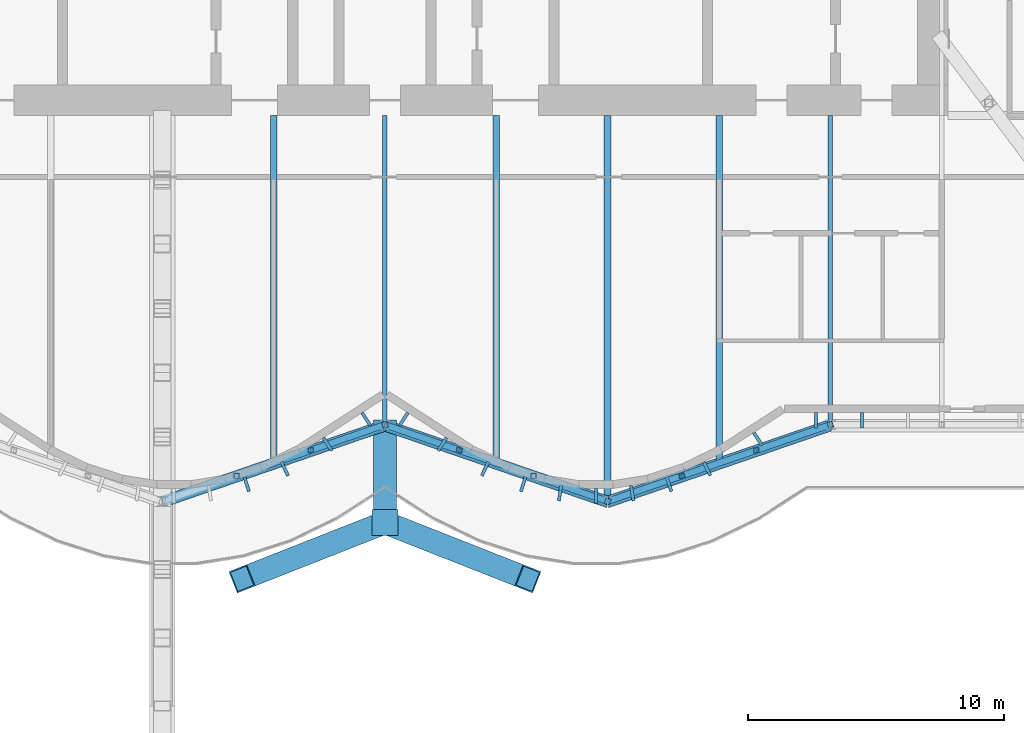
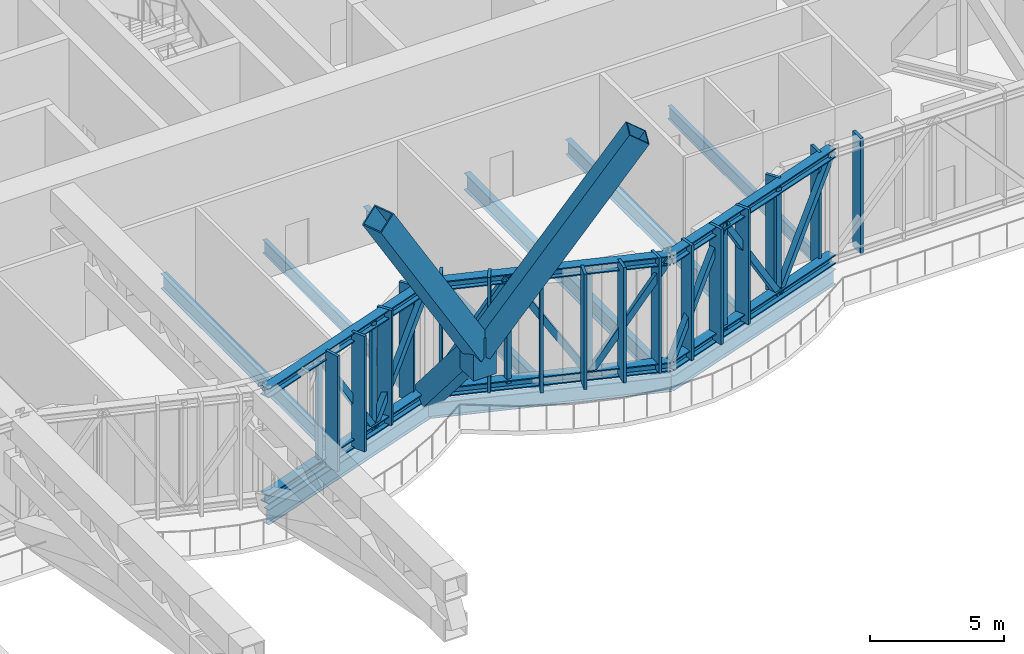
# One storey, part 10 of 30: 40 members, 9 beams, 1 element without a shape of its own.
"""IFC4 building model written with IfcOpenShell, lengths in metres."""

from ifc_helpers import new_model, si_unit, direction, frame, origin, origin_2d, place, context, subcontext, project, spatial, rectangle, hollow_rectangle, i_section, extrude, material, material_profile, profile_set, type_object, element, aggregate, save


model = new_model("IFC4")

# Units and contexts
model_context = context("Model", 3, precision=1e-05, world=origin(), true_north=direction((0.0, 1.0)))
body_context = subcontext(model_context, "Body", "Model", "MODEL_VIEW")
ifc_project = project(units=[si_unit("LENGTHUNIT", "METRE"), si_unit("AREAUNIT", "SQUARE_METRE"), si_unit("VOLUMEUNIT", "CUBIC_METRE"), si_unit("PLANEANGLEUNIT", "RADIAN"), si_unit("MASSUNIT", "GRAM", prefix="KILO")], contexts=[model_context])

# Site, building, storey
site_placement = place(None, origin())
site = spatial("IfcSite", under=ifc_project, at=site_placement, CompositionType="ELEMENT")
building_placement = place(site_placement, origin())
building = spatial("IfcBuilding", under=site, at=building_placement, Name="Bicima Exchange Tower", CompositionType="ELEMENT")
storey_placement = place(building_placement, frame((0.0, 0.0, 287.60009765625)))
storey = spatial("IfcBuildingStorey", under=building, at=storey_placement, Name="L65", CompositionType="ELEMENT", Elevation=287.60009765625)

# Curtain wall, members
ifc_material_1 = material(Name="Anodised bronze aluminium", Category="aluminium")
curtain_wall_type = type_object("IfcCurtainWallType", Name="Band blade screen", PredefinedType="NOTDEFINED", material=ifc_material_1)
curtain_wall_placement = place(storey_placement, origin())
curtain_wall = element("IfcCurtainWall", 1, at=curtain_wall_placement, inside=storey, type_object=curtain_wall_type, Name="Band blade screen L65", PredefinedType="NOTDEFINED")
ifc_material_profile_1 = material_profile(ifc_material_1, rectangle(XDim=0.60009765625, YDim=0.1201171875, at=origin_2d()))
ifc_profile_set_1 = profile_set([ifc_material_profile_1], Name="Anodised bronze aluminium")
member_type_1 = type_object("IfcMemberType", Name="Band blade fin 600 x 120", PredefinedType="USERDEFINED", material=ifc_profile_set_1)
member_1_placement = place(storey_placement, frame((-5.403564453125, -27.402099609375, 0.0), z_axis=(0.0, 0.0, 1.0), x_axis=(-0.307552591055, 0.951531083956, 0.0)))
member_1 = element("IfcMember", 2, at=member_1_placement, type_object=member_type_1, Name="Band blade fin 29", ObjectType="FIN", PredefinedType="USERDEFINED", context=body_context, shape_type="SweptSolid", body=[
    extrude(rectangle(XDim=0.60009765625, YDim=0.1201171875, at=origin_2d()), origin(), (0.0, 0.0, 1.0), 5.25),
])
member_2_placement = place(storey_placement, frame((-3.916259765625, -26.798583984375, 0.0), z_axis=(0.0, 0.0, 1.0), x_axis=(-0.436286748784, 0.899807686584, 0.0)))
member_2 = element("IfcMember", 3, at=member_2_placement, type_object=member_type_1, Name="Band blade fin 30", ObjectType="FIN", PredefinedType="USERDEFINED", context=body_context, shape_type="SweptSolid", body=[
    extrude(rectangle(XDim=0.60009765625, YDim=0.1201171875, at=origin_2d()), origin(), (0.0, 0.0, 1.0), 5.25),
])
member_3_placement = place(storey_placement, frame((-2.242919921875, -25.8388671875, 0.0), z_axis=(0.0, 0.0, 1.0), x_axis=(-0.542909183079, 0.839791413941, 0.0)))
member_3 = element("IfcMember", 4, at=member_3_placement, type_object=member_type_1, Name="Band blade fin 31", ObjectType="FIN", PredefinedType="USERDEFINED", context=body_context, shape_type="SweptSolid", body=[
    extrude(rectangle(XDim=0.60009765625, YDim=0.1201171875, at=origin_2d()), origin(), (0.0, 0.0, 1.0), 5.25),
])
member_4_placement = place(storey_placement, frame((-0.731201171875, -24.86181640625, 0.0), z_axis=(0.0, 0.0, 1.0), x_axis=(-0.542909183079, 0.839791413941, 0.0)))
member_4 = element("IfcMember", 5, at=member_4_placement, type_object=member_type_1, Name="Band blade fin 32", ObjectType="FIN", PredefinedType="USERDEFINED", context=body_context, shape_type="SweptSolid", body=[
    extrude(rectangle(XDim=0.60009765625, YDim=0.1201171875, at=origin_2d()), origin(), (0.0, 0.0, 1.0), 5.25),
])
member_5_placement = place(storey_placement, frame((0.731201171875, -24.86181640625, 0.0), z_axis=(0.0, 0.0, 1.0), x_axis=(0.542909183079, 0.839791413941, 0.0)))
member_5 = element("IfcMember", 6, at=member_5_placement, type_object=member_type_1, Name="Band blade fin 33", ObjectType="FIN", PredefinedType="USERDEFINED", context=body_context, shape_type="SweptSolid", body=[
    extrude(rectangle(XDim=0.60009765625, YDim=0.1201171875, at=origin_2d()), origin(), (0.0, 0.0, 1.0), 5.25),
])
member_6_placement = place(storey_placement, frame((2.242919921875, -25.8388671875, 0.0), z_axis=(0.0, 0.0, 1.0), x_axis=(0.542909183079, 0.839791413941, 0.0)))
member_6 = element("IfcMember", 7, at=member_6_placement, type_object=member_type_1, Name="Band blade fin 34", ObjectType="FIN", PredefinedType="USERDEFINED", context=body_context, shape_type="SweptSolid", body=[
    extrude(rectangle(XDim=0.60009765625, YDim=0.1201171875, at=origin_2d()), origin(), (0.0, 0.0, 1.0), 5.25),
])
member_7_placement = place(storey_placement, frame((3.916259765625, -26.798583984375, 0.0), z_axis=(0.0, 0.0, 1.0), x_axis=(0.436286748784, 0.899807686584, 0.0)))
member_7 = element("IfcMember", 8, at=member_7_placement, type_object=member_type_1, Name="Band blade fin 35", ObjectType="FIN", PredefinedType="USERDEFINED", context=body_context, shape_type="SweptSolid", body=[
    extrude(rectangle(XDim=0.60009765625, YDim=0.1201171875, at=origin_2d()), origin(), (0.0, 0.0, 1.0), 5.25),
])
member_8_placement = place(storey_placement, frame((5.403564453125, -27.402099609375, 0.0), z_axis=(0.0, 0.0, 1.0), x_axis=(0.307552591055, 0.951531083956, 0.0)))
member_8 = element("IfcMember", 9, at=member_8_placement, type_object=member_type_1, Name="Band blade fin 36", ObjectType="FIN", PredefinedType="USERDEFINED", context=body_context, shape_type="SweptSolid", body=[
    extrude(rectangle(XDim=0.60009765625, YDim=0.1201171875, at=origin_2d()), origin(), (0.0, 0.0, 1.0), 5.25),
])
member_9_placement = place(storey_placement, frame((6.84130859375, -27.75244140625, 0.0), z_axis=(0.0, 0.0, 1.0), x_axis=(0.159533156447, 0.987192570877, 0.0)))
member_9 = element("IfcMember", 10, at=member_9_placement, type_object=member_type_1, Name="Band blade fin 37", ObjectType="FIN", PredefinedType="USERDEFINED", context=body_context, shape_type="SweptSolid", body=[
    extrude(rectangle(XDim=0.60009765625, YDim=0.1201171875, at=origin_2d()), origin(), (0.0, 0.0, 1.0), 5.25),
])
member_10_placement = place(storey_placement, frame((8.25, -27.866943359375, 0.0), z_axis=(0.0, 0.0, 1.0), x_axis=(0.0, 1.0, 0.0)))
member_10 = element("IfcMember", 11, at=member_10_placement, type_object=member_type_1, Name="Band blade fin 38", ObjectType="FIN", PredefinedType="USERDEFINED", context=body_context, shape_type="SweptSolid", body=[
    extrude(rectangle(XDim=0.60009765625, YDim=0.1201171875, at=origin_2d()), origin(), (0.0, 0.0, 1.0), 5.25),
])
member_11_placement = place(storey_placement, frame((9.65869140625, -27.75244140625, 0.0), z_axis=(0.0, 0.0, 1.0), x_axis=(-0.159533156447, 0.987192570877, 0.0)))
member_11 = element("IfcMember", 12, at=member_11_placement, type_object=member_type_1, Name="Band blade fin 39", ObjectType="FIN", PredefinedType="USERDEFINED", context=body_context, shape_type="SweptSolid", body=[
    extrude(rectangle(XDim=0.60009765625, YDim=0.1201171875, at=origin_2d()), origin(), (0.0, 0.0, 1.0), 5.25),
])
member_12_placement = place(storey_placement, frame((11.096435546875, -27.402099609375, 0.0), z_axis=(0.0, 0.0, 1.0), x_axis=(-0.307552591055, 0.951531083956, 0.0)))
member_12 = element("IfcMember", 13, at=member_12_placement, type_object=member_type_1, Name="Band blade fin 40", ObjectType="FIN", PredefinedType="USERDEFINED", context=body_context, shape_type="SweptSolid", body=[
    extrude(rectangle(XDim=0.60009765625, YDim=0.1201171875, at=origin_2d()), origin(), (0.0, 0.0, 1.0), 5.25),
])
member_13_placement = place(storey_placement, frame((12.583740234375, -26.798583984375, 0.0), z_axis=(0.0, 0.0, 1.0), x_axis=(-0.436286748784, 0.899807686584, 0.0)))
member_13 = element("IfcMember", 14, at=member_13_placement, type_object=member_type_1, Name="Band blade fin 41", ObjectType="FIN", PredefinedType="USERDEFINED", context=body_context, shape_type="SweptSolid", body=[
    extrude(rectangle(XDim=0.60009765625, YDim=0.1201171875, at=origin_2d()), origin(), (0.0, 0.0, 1.0), 5.25),
])
member_14_placement = place(storey_placement, frame((14.5703125, -25.636474609375, 0.0), z_axis=(0.0, 0.0, 1.0), x_axis=(-0.542916511621, 0.839786676132, 0.0)))
member_14 = element("IfcMember", 15, at=member_14_placement, type_object=member_type_1, Name="Band blade fin 42", ObjectType="FIN", PredefinedType="USERDEFINED", context=body_context, shape_type="SweptSolid", body=[
    extrude(rectangle(XDim=0.60009765625, YDim=0.1201171875, at=origin_2d()), origin(), (0.0, 0.0, 1.0), 5.25),
])
member_15_placement = place(storey_placement, frame((16.832275390625, -24.904052734375, 0.0), z_axis=(0.0, 0.0, 1.0), x_axis=(0.0, 1.0, 0.0)))
member_15 = element("IfcMember", 16, at=member_15_placement, type_object=member_type_1, Name="Band blade fin 43", ObjectType="FIN", PredefinedType="USERDEFINED", context=body_context, shape_type="SweptSolid", body=[
    extrude(rectangle(XDim=0.60009765625, YDim=0.1201171875, at=origin_2d()), origin(), (0.0, 0.0, 1.0), 5.25),
])
member_16_placement = place(storey_placement, frame((18.63232421875, -24.904052734375, 0.0), z_axis=(0.0, 0.0, 1.0), x_axis=(0.0, 1.0, 0.0)))
member_16 = element("IfcMember", 17, at=member_16_placement, type_object=member_type_1, Name="Band blade fin 44", ObjectType="FIN", PredefinedType="USERDEFINED", context=body_context, shape_type="SweptSolid", body=[
    extrude(rectangle(XDim=0.60009765625, YDim=0.1201171875, at=origin_2d()), origin(), (0.0, 0.0, 1.0), 5.25),
])
aggregate(curtain_wall, [member_1, member_2, member_3, member_4, member_5, member_6, member_7, member_8, member_9, member_10, member_11, member_12, member_13, member_14, member_15, member_16])

# Members
ifc_material_2 = material(Name="Steel ASTM A992 Gr 50", Category="steel")
ifc_material_profile_2 = material_profile(ifc_material_2, i_section(OverallWidth=0.406494140625, OverallDepth=0.41650390625, WebThickness=0.030029296875, FlangeThickness=0.048095703125, at=origin_2d()))
ifc_profile_set_2 = profile_set([ifc_material_profile_2], Name="Steel ASTM A992 Gr 50")
member_type_2 = type_object("IfcMemberType", Name="Belt truss chord W14x257", PredefinedType="CHORD", material=ifc_profile_set_2)
for number, where, z_axis, x_axis, name in (
    (18, (-8.699951171875, -28.072998046875, 5.04150390625), (0.945674616091, 0.32511462668, 0.0), (-0.32511462668, 0.945674616091, 0.0), "Top chord"),
    (19, (-8.699951171875, -28.072998046875, 0.208251953125), (0.945674616091, 0.32511462668, 0.0), (-0.32511462668, 0.945674616091, 0.0), "Bottom chord"),
    (20, (0.0, -25.08203125, 5.04150390625), (0.945674616091, -0.32511462668, 0.0), (0.32511462668, 0.945674616091, 0.0), "Top chord"),
    (21, (0.0, -25.08203125, 0.208251953125), (0.945674616091, -0.32511462668, 0.0), (0.32511462668, 0.945674616091, 0.0), "Bottom chord"),
    (22, (8.699951171875, -28.072998046875, 5.04150390625), (0.945674616091, 0.32511462668, 0.0), (-0.32511462668, 0.945674616091, 0.0), "Top chord"),
    (23, (8.699951171875, -28.072998046875, 0.208251953125), (0.945674616091, 0.32511462668, 0.0), (-0.32511462668, 0.945674616091, 0.0), "Bottom chord"),
):
    element("IfcMember", number, at=place(storey_placement, frame(where, z_axis=z_axis, x_axis=x_axis)), inside=storey, type_object=member_type_2, Name=name, PredefinedType="CHORD", context=body_context, shape_type="SweptSolid", body=[
        extrude(i_section(OverallWidth=0.406494140625, OverallDepth=0.41650390625, WebThickness=0.030029296875, FlangeThickness=0.048095703125, at=origin_2d()), origin(), (0.0, 0.0, 1.0), 9.19970703125),
    ])
ifc_material_3 = material(Name="Steel ASTM A572 Gr 50", Category="steel")
ifc_material_profile_3 = material_profile(ifc_material_3, hollow_rectangle(XDim=0.25390625, YDim=0.25390625, WallThickness=0.01171875, at=origin_2d()))
ifc_profile_set_3 = profile_set([ifc_material_profile_3], Name="Steel ASTM A572 Gr 50")
member_type_3 = type_object("IfcMemberType", Name="Belt truss diagonal HSS10x10x1/2", PredefinedType="STRUT", material=ifc_profile_set_3)
member_17_placement = place(storey_placement, frame((-5.800048828125, -27.075927734375, 5.04150390625), z_axis=(0.506659198623, 0.174146772285, -0.84437512881), x_axis=(-0.325050844265, 0.94569654152, 0.0)))
element("IfcMember", 24, at=member_17_placement, inside=storey, type_object=member_type_3, Name="Truss diagonal", PredefinedType="STRUT", context=body_context, shape_type="SweptSolid", body=[
    extrude(hollow_rectangle(XDim=0.25390625, YDim=0.25390625, WallThickness=0.01171875, at=origin_2d()), origin(), (0.0, 0.0, 1.0), 5.72412109375),
])
for number, where, z_axis, x_axis, name in (
    (25, (-2.89990234375, -26.0791015625, 0.208251953125), (0.506623731126, 0.174191894083, 0.844387102635), (-0.325146518908, 0.945663651222, 0.0), "Truss diagonal"),
    (26, (0.0, -25.08203125, 0.208251953125), (0.506623731126, -0.174191894083, 0.844387102635), (0.325146518908, 0.945663651222, 0.0), "Truss diagonal"),
):
    element("IfcMember", number, at=place(storey_placement, frame(where, z_axis=z_axis, x_axis=x_axis)), inside=storey, type_object=member_type_3, Name=name, PredefinedType="STRUT", context=body_context, shape_type="SweptSolid", body=[
        extrude(hollow_rectangle(XDim=0.25390625, YDim=0.25390625, WallThickness=0.01171875, at=origin_2d()), origin(), (0.0, 0.0, 1.0), 5.723876953125),
    ])
member_18_placement = place(storey_placement, frame((2.89990234375, -26.0791015625, 5.04150390625), z_axis=(0.506659198623, -0.174146772285, -0.84437512881), x_axis=(0.325050844265, 0.94569654152, 0.0)))
element("IfcMember", 27, at=member_18_placement, inside=storey, type_object=member_type_3, Name="Truss diagonal", PredefinedType="STRUT", context=body_context, shape_type="SweptSolid", body=[
    extrude(hollow_rectangle(XDim=0.25390625, YDim=0.25390625, WallThickness=0.01171875, at=origin_2d()), origin(), (0.0, 0.0, 1.0), 5.72412109375),
])
member_19_placement = place(storey_placement, frame((5.800048828125, -27.075927734375, 0.208251953125), z_axis=(0.506623731126, -0.174191894083, 0.844387102635), x_axis=(0.325146518908, 0.945663651222, 0.0)))
element("IfcMember", 28, at=member_19_placement, inside=storey, type_object=member_type_3, Name="Truss diagonal", PredefinedType="STRUT", context=body_context, shape_type="SweptSolid", body=[
    extrude(hollow_rectangle(XDim=0.25390625, YDim=0.25390625, WallThickness=0.01171875, at=origin_2d()), origin(), (0.0, 0.0, 1.0), 5.723876953125),
])
member_20_placement = place(storey_placement, frame((8.699951171875, -28.072998046875, 0.208251953125), z_axis=(0.506655434916, 0.174188129994, 0.844368856389), x_axis=(-0.325122040768, 0.94567206716, 0.0)))
element("IfcMember", 29, at=member_20_placement, inside=storey, type_object=member_type_3, Name="Truss diagonal", PredefinedType="STRUT", context=body_context, shape_type="SweptSolid", body=[
    extrude(hollow_rectangle(XDim=0.25390625, YDim=0.25390625, WallThickness=0.01171875, at=origin_2d()), origin(), (0.0, 0.0, 1.0), 5.72412109375),
])
for number, where, z_axis, x_axis, name in (
    (30, (11.60009765625, -27.075927734375, 5.04150390625), (0.506627494759, 0.174150535537, -0.844393375463), (-0.325075318312, 0.945688129049, 0.0), "Truss diagonal"),
    (31, (14.5, -26.0791015625, 0.208251953125), (0.506623731126, 0.174191894083, 0.844387102635), (-0.325146518908, 0.945663651222, 0.0), "Truss diagonal"),
):
    element("IfcMember", number, at=place(storey_placement, frame(where, z_axis=z_axis, x_axis=x_axis)), inside=storey, type_object=member_type_3, Name=name, PredefinedType="STRUT", context=body_context, shape_type="SweptSolid", body=[
        extrude(hollow_rectangle(XDim=0.25390625, YDim=0.25390625, WallThickness=0.01171875, at=origin_2d()), origin(), (0.0, 0.0, 1.0), 5.723876953125),
    ])
ifc_material_profile_4 = material_profile(ifc_material_3, hollow_rectangle(XDim=0.203125, YDim=0.203125, WallThickness=0.01171875, at=origin_2d()))
ifc_profile_set_4 = profile_set([ifc_material_profile_4], Name="Steel ASTM A572 Gr 50")
member_type_4 = type_object("IfcMemberType", Name="Belt truss post HSS8x8x1/2", PredefinedType="POST", material=ifc_profile_set_4)
for number, where, z_axis, x_axis, name in (
    (32, (-5.800048828125, -27.075927734375, 0.208251953125), (0.0, 0.0, 1.0), (1.0, 0.0, 0.0), "Truss post"),
    (33, (-2.89990234375, -26.0791015625, 0.208251953125), (0.0, 0.0, 1.0), (1.0, 0.0, 0.0), "Truss post"),
    (34, (2.89990234375, -26.0791015625, 0.208251953125), (0.0, 0.0, 1.0), (1.0, 0.0, 0.0), "Truss post"),
    (35, (5.800048828125, -27.075927734375, 0.208251953125), (0.0, 0.0, 1.0), (1.0, 0.0, 0.0), "Truss post"),
    (36, (11.60009765625, -27.075927734375, 0.208251953125), (0.0, 0.0, 1.0), (1.0, 0.0, 0.0), "Truss post"),
    (37, (14.5, -26.0791015625, 0.208251953125), (0.0, 0.0, 1.0), (1.0, 0.0, 0.0), "Truss post"),
):
    element("IfcMember", number, at=place(storey_placement, frame(where, z_axis=z_axis, x_axis=x_axis)), inside=storey, type_object=member_type_4, Name=name, PredefinedType="POST", context=body_context, shape_type="SweptSolid", body=[
        extrude(hollow_rectangle(XDim=0.203125, YDim=0.203125, WallThickness=0.01171875, at=origin_2d()), origin(), (0.0, 0.0, 1.0), 4.833251953125),
    ])
ifc_material_profile_5 = material_profile(ifc_material_3, hollow_rectangle(XDim=0.89990234375, YDim=0.89990234375, WallThickness=0.050048828125, at=origin_2d()))
ifc_profile_set_5 = profile_set([ifc_material_profile_5], Name="Steel ASTM A572 Gr 50")
member_type_5 = type_object("IfcMemberType", Name="Exo mega brace BOX 900x900x50", PredefinedType="BRACE", material=ifc_profile_set_5)
for number, where, z_axis, x_axis, name in (
    (38, (0.0, -28.900634765625, 4.5), (0.510579379462, -0.201092678771, 0.835984707882), (0.366454077773, 0.930436139068, 0.0), "Exo mega brace front"),
    (39, (0.0, -28.900634765625, 4.5), (-0.510579379462, -0.201092678771, 0.835984707882), (0.366454077773, -0.930436139068, 0.0), "Exo mega brace front"),
):
    element("IfcMember", number, at=place(storey_placement, frame(where, z_axis=z_axis, x_axis=x_axis)), inside=storey, type_object=member_type_5, Name=name, PredefinedType="BRACE", context=body_context, shape_type="SweptSolid", body=[
        extrude(hollow_rectangle(XDim=0.89990234375, YDim=0.89990234375, WallThickness=0.050048828125, at=origin_2d()), origin(), (0.0, 0.0, 1.0), 10.93505859375),
    ])
ifc_material_4 = material(Name="Cast steel ASTM A216 Gr WCB", Category="steel")
ifc_material_profile_6 = material_profile(ifc_material_4, rectangle(XDim=1.0, YDim=1.0, at=origin_2d()))
ifc_profile_set_6 = profile_set([ifc_material_profile_6], Name="Cast steel ASTM A216 Gr WCB")
member_type_6 = type_object("IfcMemberType", Name="Exo node block", PredefinedType="POST", material=ifc_profile_set_6)
member_21_placement = place(storey_placement, frame((0.0, -28.900634765625, 3.449951171875), z_axis=(0.0, 0.0, 1.0), x_axis=(1.0, 0.0, 0.0)))
element("IfcMember", 40, at=member_21_placement, inside=storey, type_object=member_type_6, Name="Exo node block", PredefinedType="POST", context=body_context, shape_type="SweptSolid", body=[
    extrude(rectangle(XDim=1.0, YDim=1.0, at=origin_2d()), origin(), (0.0, 0.0, 1.0), 1.800048828125),
])
member_type_7 = type_object("IfcMemberType", Name="Exo outrigger stub BOX 900x900x50", PredefinedType="STRUT", material=ifc_profile_set_5)
member_22_placement = place(storey_placement, frame((0.0, -25.23193359375, 0.208251953125), z_axis=(0.0, -0.649775910666, 0.760125822426), x_axis=(1.0, 0.0, 0.0)))
element("IfcMember", 41, at=member_22_placement, inside=storey, type_object=member_type_7, Name="Exo outrigger stub", PredefinedType="STRUT", context=body_context, shape_type="SweptSolid", body=[
    extrude(hollow_rectangle(XDim=0.89990234375, YDim=0.89990234375, WallThickness=0.050048828125, at=origin_2d()), origin(), (0.0, 0.0, 1.0), 5.64599609375),
])

# Beams
ifc_material_profile_7 = material_profile(ifc_material_2, i_section(OverallWidth=0.177978515625, OverallDepth=0.599365234375, WebThickness=0.010009765625, FlangeThickness=0.012939453125, at=origin_2d()))
ifc_profile_set_7 = profile_set([ifc_material_profile_7], Name="Steel ASTM A992 Gr 50")
beam_type_1 = type_object("IfcBeamType", Name="Floor beam W24x55", PredefinedType="JOIST", material=ifc_profile_set_7)
beam_1_placement = place(storey_placement, frame((0.0, -13.0, -0.499755859375), z_axis=(0.0, -1.0, 0.0), x_axis=(1.0, 0.0, 0.0)))
element("IfcBeam", 42, at=beam_1_placement, inside=storey, type_object=beam_type_1, Name="Floor beam", PredefinedType="JOIST", context=body_context, shape_type="SweptSolid", body=[
    extrude(i_section(OverallWidth=0.177978515625, OverallDepth=0.599365234375, WebThickness=0.010009765625, FlangeThickness=0.012939453125, at=origin_2d()), origin(), (0.0, 0.0, 1.0), 12.2041015625),
])
beam_2_placement = place(storey_placement, frame((17.39990234375, -13.0, -0.499755859375), z_axis=(0.0, -1.0, 0.0), x_axis=(1.0, 0.0, 0.0)))
element("IfcBeam", 43, at=beam_2_placement, inside=storey, type_object=beam_type_1, Name="Floor beam", PredefinedType="JOIST", context=body_context, shape_type="SweptSolid", body=[
    extrude(i_section(OverallWidth=0.177978515625, OverallDepth=0.599365234375, WebThickness=0.010009765625, FlangeThickness=0.012939453125, at=origin_2d()), origin(), (0.0, 0.0, 1.0), 12.068359375),
])
ifc_material_profile_8 = material_profile(ifc_material_2, i_section(OverallWidth=0.25390625, OverallDepth=0.67822265625, WebThickness=0.01171875, FlangeThickness=0.016357421875, at=origin_2d()))
ifc_profile_set_8 = profile_set([ifc_material_profile_8], Name="Steel ASTM A992 Gr 50")
beam_type_2 = type_object("IfcBeamType", Name="Floor beam W27x84", PredefinedType="JOIST", material=ifc_profile_set_8)
for number, where, z_axis, x_axis, name in (
    (44, (-4.35009765625, -13.0, -0.539306640625), (0.0, -1.0, 0.0), (1.0, 0.0, 0.0), "Floor beam"),
    (45, (4.35009765625, -13.0, -0.539306640625), (0.0, -1.0, 0.0), (1.0, 0.0, 0.0), "Floor beam"),
    (46, (13.050048828125, -13.0, -0.539306640625), (0.0, -1.0, 0.0), (1.0, 0.0, 0.0), "Floor beam"),
):
    element("IfcBeam", number, at=place(storey_placement, frame(where, z_axis=z_axis, x_axis=x_axis)), inside=storey, type_object=beam_type_2, Name=name, PredefinedType="JOIST", context=body_context, shape_type="SweptSolid", body=[
        extrude(i_section(OverallWidth=0.25390625, OverallDepth=0.67822265625, WebThickness=0.01171875, FlangeThickness=0.016357421875, at=origin_2d()), origin(), (0.0, 0.0, 1.0), 13.56396484375),
    ])
ifc_material_profile_9 = material_profile(ifc_material_2, i_section(OverallWidth=0.2666015625, OverallDepth=0.75439453125, WebThickness=0.01318359375, FlangeThickness=0.01708984375, at=origin_2d()))
ifc_profile_set_9 = profile_set([ifc_material_profile_9], Name="Steel ASTM A992 Gr 50")
beam_type_3 = type_object("IfcBeamType", Name="Floor beam W30x99", PredefinedType="JOIST", material=ifc_profile_set_9)
beam_3_placement = place(storey_placement, frame((8.699951171875, -13.0, -0.577392578125), z_axis=(0.0, -1.0, 0.0), x_axis=(1.0, 0.0, 0.0)))
element("IfcBeam", 47, at=beam_3_placement, inside=storey, type_object=beam_type_3, Name="Floor beam", PredefinedType="JOIST", context=body_context, shape_type="SweptSolid", body=[
    extrude(i_section(OverallWidth=0.2666015625, OverallDepth=0.75439453125, WebThickness=0.01318359375, FlangeThickness=0.01708984375, at=origin_2d()), origin(), (0.0, 0.0, 1.0), 15.059326171875),
])
ifc_material_profile_10 = material_profile(ifc_material_2, i_section(OverallWidth=0.256591796875, OverallDepth=0.693359375, WebThickness=0.014404296875, FlangeThickness=0.023681640625, at=origin_2d()))
ifc_profile_set_10 = profile_set([ifc_material_profile_10], Name="Steel ASTM A992 Gr 50")
beam_type_4 = type_object("IfcBeamType", Name="Front girder W27x114", PredefinedType="BEAM", material=ifc_profile_set_10)
for number, where, z_axis, x_axis, name in (
    (48, (-8.699951171875, -28.195068359375, -0.546875), (0.945674616091, 0.32511462668, 0.0), (-0.32511462668, 0.945674616091, 0.0), "Front girder"),
    (49, (0.0, -25.2041015625, -0.546875), (0.945674616091, -0.32511462668, 0.0), (0.32511462668, 0.945674616091, 0.0), "Front girder"),
    (50, (8.699951171875, -28.195068359375, -0.546875), (0.945674616091, 0.32511462668, 0.0), (-0.32511462668, 0.945674616091, 0.0), "Front girder"),
):
    element("IfcBeam", number, at=place(storey_placement, frame(where, z_axis=z_axis, x_axis=x_axis)), inside=storey, type_object=beam_type_4, Name=name, PredefinedType="BEAM", context=body_context, shape_type="SweptSolid", body=[
        extrude(i_section(OverallWidth=0.256591796875, OverallDepth=0.693359375, WebThickness=0.014404296875, FlangeThickness=0.023681640625, at=origin_2d()), origin(), (0.0, 0.0, 1.0), 9.19970703125),
    ])

save(model, "model.ifc")
